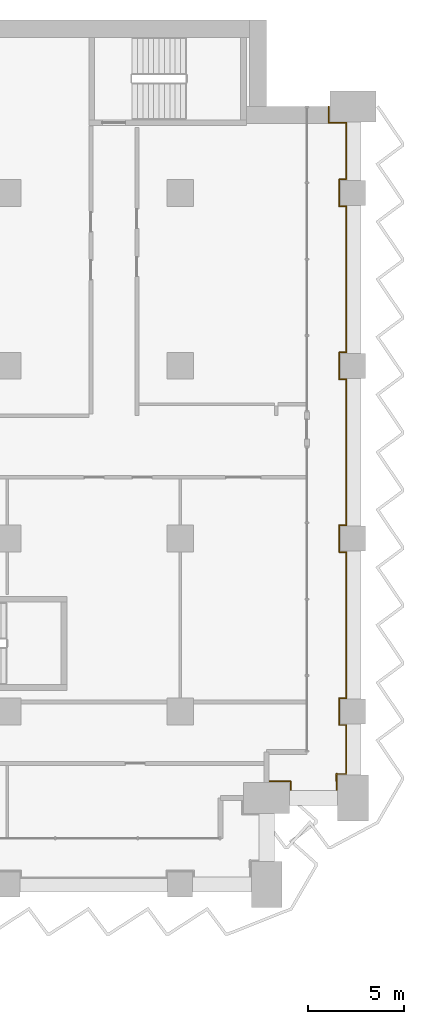
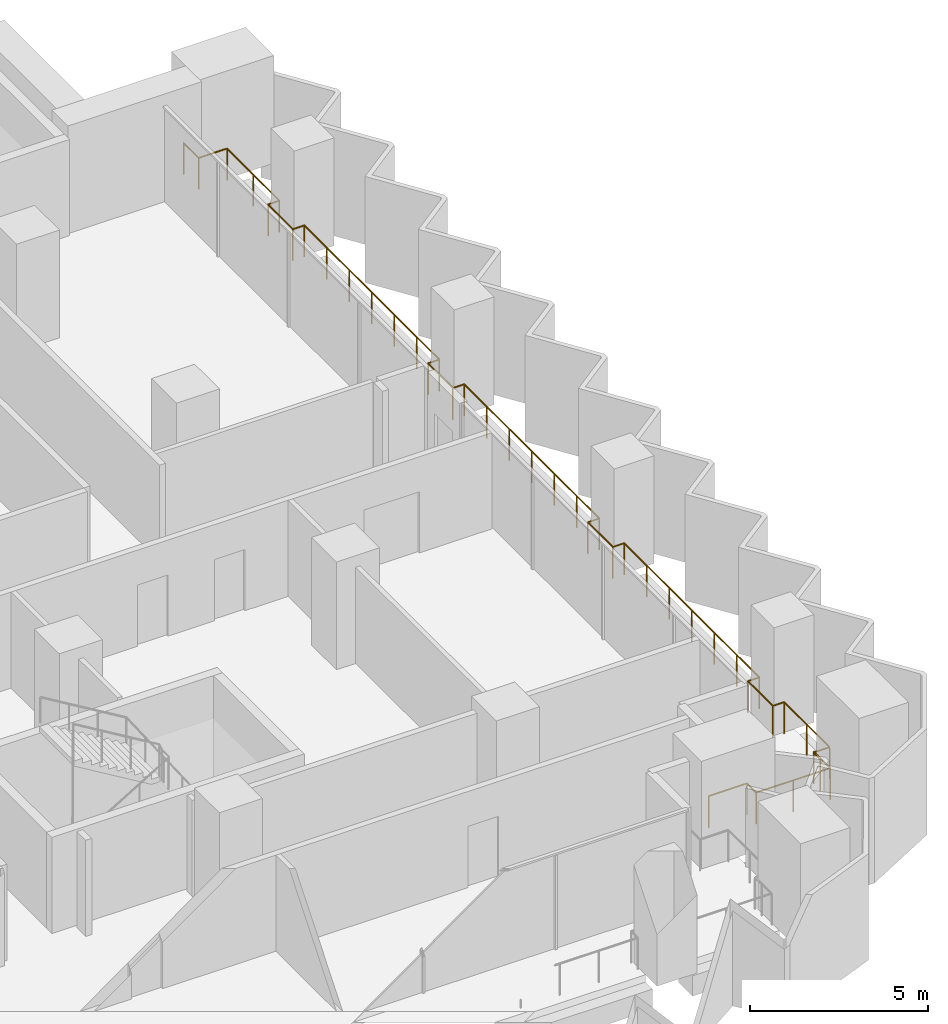
# One storey, part 29 of 29: 1 railing.
"""IFC4 building model written with IfcOpenShell, lengths in metres."""

from ifc_helpers import new_model, si_unit, direction, frame, origin, origin_2d, place, context, subcontext, project, spatial, circle, extrude, material, type_object, element, save


model = new_model("IFC4")

# Units and contexts
model_context = context("Model", 3, precision=1e-05, world=origin(), true_north=direction((0.0, 1.0)))
body_context = subcontext(model_context, "Body", "Model", "MODEL_VIEW")
ifc_project = project(units=[si_unit("LENGTHUNIT", "METRE"), si_unit("AREAUNIT", "SQUARE_METRE"), si_unit("VOLUMEUNIT", "CUBIC_METRE"), si_unit("PLANEANGLEUNIT", "RADIAN"), si_unit("MASSUNIT", "GRAM", prefix="KILO")], contexts=[model_context])

# Site, building, storey
site_placement = place(None, origin())
site = spatial("IfcSite", under=ifc_project, at=site_placement, CompositionType="ELEMENT")
building_placement = place(site_placement, origin())
building = spatial("IfcBuilding", under=site, at=building_placement, Name="Hunhe Ridgeline Campus", CompositionType="ELEMENT")
storey_placement = place(building_placement, frame((0.0, 0.0, 69.10009765625)))
storey = spatial("IfcBuildingStorey", under=building, at=storey_placement, Name="L16", CompositionType="ELEMENT", Elevation=69.10009765625)

# Railing
ifc_material = material(Name="Steel Q355", Category="steel")
railing_type = type_object("IfcRailingType", Name="Loggia guard 1100 Steel Q355", PredefinedType="GUARDRAIL", material=ifc_material)
railing_placement = place(storey_placement, frame((94.5, 59.3701171875, 0.0)))
element("IfcRailing", 1, at=railing_placement, inside=storey, type_object=railing_type, Name="Loggia guard 3", PredefinedType="GUARDRAIL", context=body_context, shape_type="SweptSolid", body=[
    extrude(circle(Radius=0.02392578125, at=origin_2d()), frame((0.0, 0.0, 1.076171875), z_axis=(1.0, 0.0, 0.0), x_axis=(0.0, 1.0, 0.0)), (0.0, 0.0, 1.0), 1.25),
    extrude(circle(Radius=0.02392578125, at=origin_2d()), frame((1.25, 0.0, 1.076171875), z_axis=(0.0, -1.0, 0.0), x_axis=(1.0, 0.0, 0.0)), (0.0, 0.0, 1.0), 0.52001953125),
    extrude(circle(Radius=0.02392578125, at=origin_2d()), frame((1.25, -0.52001953125, 1.076171875), z_axis=(1.0, 0.0, 0.0), x_axis=(0.0, 1.0, 0.0)), (0.0, 0.0, 1.0), 2.39990234375),
    extrude(circle(Radius=0.02392578125, at=origin_2d()), frame((3.64990234375, -0.52001953125, 1.076171875), z_axis=(0.0, 1.0, 0.0), x_axis=(-1.0, 0.0, 0.0)), (0.0, 0.0, 1.0), 0.919921875),
    extrude(circle(Radius=0.02392578125, at=origin_2d()), frame((3.64990234375, 0.39990234375, 1.076171875), z_axis=(-0.049998438503, -0.998749295943, 0.0), x_axis=(0.998749295943, -0.049998438503, 0.0)), (0.0, 0.0, 1.0), 0.400390625),
    extrude(circle(Radius=0.02392578125, at=origin_2d()), frame((3.6298828125, 0.0, 1.076171875), z_axis=(0.0, 1.0, 0.0), x_axis=(-1.0, 0.0, 0.0)), (0.0, 0.0, 1.0), 0.3798828125),
    extrude(circle(Radius=0.02392578125, at=origin_2d()), frame((3.6298828125, 0.3798828125, 1.076171875), z_axis=(1.0, 0.0, 0.0), x_axis=(0.0, 1.0, 0.0)), (0.0, 0.0, 1.0), 0.52001953125),
    extrude(circle(Radius=0.02392578125, at=origin_2d()), frame((4.14990234375, 0.3798828125, 1.076171875), z_axis=(0.0, 1.0, 0.0), x_axis=(-1.0, 0.0, 0.0)), (0.0, 0.0, 1.0), 2.550048828125),
    extrude(circle(Radius=0.02392578125, at=origin_2d()), frame((4.14990234375, 2.929931640625, 1.076171875), z_axis=(-1.0, 0.0, 0.0), x_axis=(0.0, -1.0, 0.0)), (0.0, 0.0, 1.0), 0.369873046875),
    extrude(circle(Radius=0.02392578125, at=origin_2d()), frame((3.780029296875, 2.929931640625, 1.076171875), z_axis=(0.0, 1.0, 0.0), x_axis=(-1.0, 0.0, 0.0)), (0.0, 0.0, 1.0), 1.39990234375),
    extrude(circle(Radius=0.02392578125, at=origin_2d()), frame((3.780029296875, 4.329833984375, 1.076171875), z_axis=(1.0, 0.0, 0.0), x_axis=(0.0, 1.0, 0.0)), (0.0, 0.0, 1.0), 0.369873046875),
    extrude(circle(Radius=0.02392578125, at=origin_2d()), frame((4.14990234375, 4.329833984375, 1.076171875), z_axis=(0.0, 1.0, 0.0), x_axis=(-1.0, 0.0, 0.0)), (0.0, 0.0, 1.0), 7.60009765625),
    extrude(circle(Radius=0.02392578125, at=origin_2d()), frame((4.14990234375, 11.929931640625, 1.076171875), z_axis=(-1.0, 0.0, 0.0), x_axis=(0.0, -1.0, 0.0)), (0.0, 0.0, 1.0), 0.369873046875),
    extrude(circle(Radius=0.02392578125, at=origin_2d()), frame((3.780029296875, 11.929931640625, 1.076171875), z_axis=(0.0, 1.0, 0.0), x_axis=(-1.0, 0.0, 0.0)), (0.0, 0.0, 1.0), 1.39990234375),
    extrude(circle(Radius=0.02392578125, at=origin_2d()), frame((3.780029296875, 13.329833984375, 1.076171875), z_axis=(1.0, 0.0, 0.0), x_axis=(0.0, 1.0, 0.0)), (0.0, 0.0, 1.0), 0.369873046875),
    extrude(circle(Radius=0.02392578125, at=origin_2d()), frame((4.14990234375, 13.329833984375, 1.076171875), z_axis=(0.0, 1.0, 0.0), x_axis=(-1.0, 0.0, 0.0)), (0.0, 0.0, 1.0), 7.60009765625),
    extrude(circle(Radius=0.02392578125, at=origin_2d()), frame((4.14990234375, 20.929931640625, 1.076171875), z_axis=(-1.0, 0.0, 0.0), x_axis=(0.0, -1.0, 0.0)), (0.0, 0.0, 1.0), 0.369873046875),
    extrude(circle(Radius=0.02392578125, at=origin_2d()), frame((3.780029296875, 20.929931640625, 1.076171875), z_axis=(0.0, 1.0, 0.0), x_axis=(-1.0, 0.0, 0.0)), (0.0, 0.0, 1.0), 1.39990234375),
    extrude(circle(Radius=0.02392578125, at=origin_2d()), frame((3.780029296875, 22.329833984375, 1.076171875), z_axis=(1.0, 0.0, 0.0), x_axis=(0.0, 1.0, 0.0)), (0.0, 0.0, 1.0), 0.369873046875),
    extrude(circle(Radius=0.02392578125, at=origin_2d()), frame((4.14990234375, 22.329833984375, 1.076171875), z_axis=(0.0, 1.0, 0.0), x_axis=(-1.0, 0.0, 0.0)), (0.0, 0.0, 1.0), 7.60009765625),
    extrude(circle(Radius=0.02392578125, at=origin_2d()), frame((4.14990234375, 29.929931640625, 1.076171875), z_axis=(-1.0, 0.0, 0.0), x_axis=(0.0, -1.0, 0.0)), (0.0, 0.0, 1.0), 0.369873046875),
    extrude(circle(Radius=0.02392578125, at=origin_2d()), frame((3.780029296875, 29.929931640625, 1.076171875), z_axis=(0.0, 1.0, 0.0), x_axis=(-1.0, 0.0, 0.0)), (0.0, 0.0, 1.0), 1.39990234375),
    extrude(circle(Radius=0.02392578125, at=origin_2d()), frame((3.780029296875, 31.329833984375, 1.076171875), z_axis=(1.0, 0.0, 0.0), x_axis=(0.0, 1.0, 0.0)), (0.0, 0.0, 1.0), 0.369873046875),
    extrude(circle(Radius=0.02392578125, at=origin_2d()), frame((4.14990234375, 31.329833984375, 1.076171875), z_axis=(0.0, 1.0, 0.0), x_axis=(-1.0, 0.0, 0.0)), (0.0, 0.0, 1.0), 2.949951171875),
    extrude(circle(Radius=0.02392578125, at=origin_2d()), frame((4.14990234375, 34.27978515625, 1.076171875), z_axis=(-1.0, 0.0, 0.0), x_axis=(0.0, -1.0, 0.0)), (0.0, 0.0, 1.0), 0.919921875),
    extrude(circle(Radius=0.02392578125, at=origin_2d()), frame((3.22998046875, 34.27978515625, 1.076171875), z_axis=(0.0, 1.0, 0.0), x_axis=(-1.0, 0.0, 0.0)), (0.0, 0.0, 1.0), 0.85009765625),
    extrude(circle(Radius=0.02099609375, at=origin_2d()), origin(), (0.0, 0.0, 1.0), 1.052001953125),
    extrude(circle(Radius=0.02099609375, at=origin_2d()), frame((1.25, 0.0, 0.0)), (0.0, 0.0, 1.0), 1.052001953125),
    extrude(circle(Radius=0.02099609375, at=origin_2d()), frame((1.25, -0.52001953125, 0.0)), (0.0, 0.0, 1.0), 1.052001953125),
    extrude(circle(Radius=0.02099609375, at=origin_2d()), frame((2.449951171875, -0.52001953125, 0.0)), (0.0, 0.0, 1.0), 1.052001953125),
    extrude(circle(Radius=0.02099609375, at=origin_2d()), frame((3.64990234375, -0.52001953125, 0.0)), (0.0, 0.0, 1.0), 1.052001953125),
    extrude(circle(Radius=0.02099609375, at=origin_2d()), frame((3.64990234375, 0.39990234375, 0.0)), (0.0, 0.0, 1.0), 1.052001953125),
    extrude(circle(Radius=0.02099609375, at=origin_2d()), frame((3.6298828125, 0.0, 0.0)), (0.0, 0.0, 1.0), 1.052001953125),
    extrude(circle(Radius=0.02099609375, at=origin_2d()), frame((3.6298828125, 0.3798828125, 0.0)), (0.0, 0.0, 1.0), 1.052001953125),
    extrude(circle(Radius=0.02099609375, at=origin_2d()), frame((4.14990234375, 0.3798828125, 0.0)), (0.0, 0.0, 1.0), 1.052001953125),
    extrude(circle(Radius=0.02099609375, at=origin_2d()), frame((4.14990234375, 1.65478515625, 0.0)), (0.0, 0.0, 1.0), 1.052001953125),
    extrude(circle(Radius=0.02099609375, at=origin_2d()), frame((4.14990234375, 2.929931640625, 0.0)), (0.0, 0.0, 1.0), 1.052001953125),
    extrude(circle(Radius=0.02099609375, at=origin_2d()), frame((3.780029296875, 2.929931640625, 0.0)), (0.0, 0.0, 1.0), 1.052001953125),
    extrude(circle(Radius=0.02099609375, at=origin_2d()), frame((3.780029296875, 4.329833984375, 0.0)), (0.0, 0.0, 1.0), 1.052001953125),
    extrude(circle(Radius=0.02099609375, at=origin_2d()), frame((4.14990234375, 4.329833984375, 0.0)), (0.0, 0.0, 1.0), 1.052001953125),
    extrude(circle(Radius=0.02099609375, at=origin_2d()), frame((4.14990234375, 5.596435546875, 0.0)), (0.0, 0.0, 1.0), 1.052001953125),
    extrude(circle(Radius=0.02099609375, at=origin_2d()), frame((4.14990234375, 6.86328125, 0.0)), (0.0, 0.0, 1.0), 1.052001953125),
    extrude(circle(Radius=0.02099609375, at=origin_2d()), frame((4.14990234375, 8.1298828125, 0.0)), (0.0, 0.0, 1.0), 1.052001953125),
    extrude(circle(Radius=0.02099609375, at=origin_2d()), frame((4.14990234375, 9.396484375, 0.0)), (0.0, 0.0, 1.0), 1.052001953125),
    extrude(circle(Radius=0.02099609375, at=origin_2d()), frame((4.14990234375, 10.663330078125, 0.0)), (0.0, 0.0, 1.0), 1.052001953125),
    extrude(circle(Radius=0.02099609375, at=origin_2d()), frame((4.14990234375, 11.929931640625, 0.0)), (0.0, 0.0, 1.0), 1.052001953125),
    extrude(circle(Radius=0.02099609375, at=origin_2d()), frame((3.780029296875, 11.929931640625, 0.0)), (0.0, 0.0, 1.0), 1.052001953125),
    extrude(circle(Radius=0.02099609375, at=origin_2d()), frame((3.780029296875, 13.329833984375, 0.0)), (0.0, 0.0, 1.0), 1.052001953125),
    extrude(circle(Radius=0.02099609375, at=origin_2d()), frame((4.14990234375, 13.329833984375, 0.0)), (0.0, 0.0, 1.0), 1.052001953125),
    extrude(circle(Radius=0.02099609375, at=origin_2d()), frame((4.14990234375, 14.596435546875, 0.0)), (0.0, 0.0, 1.0), 1.052001953125),
    extrude(circle(Radius=0.02099609375, at=origin_2d()), frame((4.14990234375, 15.86328125, 0.0)), (0.0, 0.0, 1.0), 1.052001953125),
    extrude(circle(Radius=0.02099609375, at=origin_2d()), frame((4.14990234375, 17.1298828125, 0.0)), (0.0, 0.0, 1.0), 1.052001953125),
    extrude(circle(Radius=0.02099609375, at=origin_2d()), frame((4.14990234375, 18.396484375, 0.0)), (0.0, 0.0, 1.0), 1.052001953125),
    extrude(circle(Radius=0.02099609375, at=origin_2d()), frame((4.14990234375, 19.663330078125, 0.0)), (0.0, 0.0, 1.0), 1.052001953125),
    extrude(circle(Radius=0.02099609375, at=origin_2d()), frame((4.14990234375, 20.929931640625, 0.0)), (0.0, 0.0, 1.0), 1.052001953125),
    extrude(circle(Radius=0.02099609375, at=origin_2d()), frame((3.780029296875, 20.929931640625, 0.0)), (0.0, 0.0, 1.0), 1.052001953125),
    extrude(circle(Radius=0.02099609375, at=origin_2d()), frame((3.780029296875, 22.329833984375, 0.0)), (0.0, 0.0, 1.0), 1.052001953125),
    extrude(circle(Radius=0.02099609375, at=origin_2d()), frame((4.14990234375, 22.329833984375, 0.0)), (0.0, 0.0, 1.0), 1.052001953125),
    extrude(circle(Radius=0.02099609375, at=origin_2d()), frame((4.14990234375, 23.596435546875, 0.0)), (0.0, 0.0, 1.0), 1.052001953125),
    extrude(circle(Radius=0.02099609375, at=origin_2d()), frame((4.14990234375, 24.86328125, 0.0)), (0.0, 0.0, 1.0), 1.052001953125),
    extrude(circle(Radius=0.02099609375, at=origin_2d()), frame((4.14990234375, 26.1298828125, 0.0)), (0.0, 0.0, 1.0), 1.052001953125),
    extrude(circle(Radius=0.02099609375, at=origin_2d()), frame((4.14990234375, 27.396484375, 0.0)), (0.0, 0.0, 1.0), 1.052001953125),
    extrude(circle(Radius=0.02099609375, at=origin_2d()), frame((4.14990234375, 28.663330078125, 0.0)), (0.0, 0.0, 1.0), 1.052001953125),
    extrude(circle(Radius=0.02099609375, at=origin_2d()), frame((4.14990234375, 29.929931640625, 0.0)), (0.0, 0.0, 1.0), 1.052001953125),
    extrude(circle(Radius=0.02099609375, at=origin_2d()), frame((3.780029296875, 29.929931640625, 0.0)), (0.0, 0.0, 1.0), 1.052001953125),
    extrude(circle(Radius=0.02099609375, at=origin_2d()), frame((3.780029296875, 31.329833984375, 0.0)), (0.0, 0.0, 1.0), 1.052001953125),
    extrude(circle(Radius=0.02099609375, at=origin_2d()), frame((4.14990234375, 31.329833984375, 0.0)), (0.0, 0.0, 1.0), 1.052001953125),
    extrude(circle(Radius=0.02099609375, at=origin_2d()), frame((4.14990234375, 32.8046875, 0.0)), (0.0, 0.0, 1.0), 1.052001953125),
    extrude(circle(Radius=0.02099609375, at=origin_2d()), frame((4.14990234375, 34.27978515625, 0.0)), (0.0, 0.0, 1.0), 1.052001953125),
    extrude(circle(Radius=0.02099609375, at=origin_2d()), frame((3.22998046875, 34.27978515625, 0.0)), (0.0, 0.0, 1.0), 1.052001953125),
    extrude(circle(Radius=0.02099609375, at=origin_2d()), frame((3.22998046875, 35.1298828125, 0.0)), (0.0, 0.0, 1.0), 1.052001953125),
])

save(model, "model.ifc")
